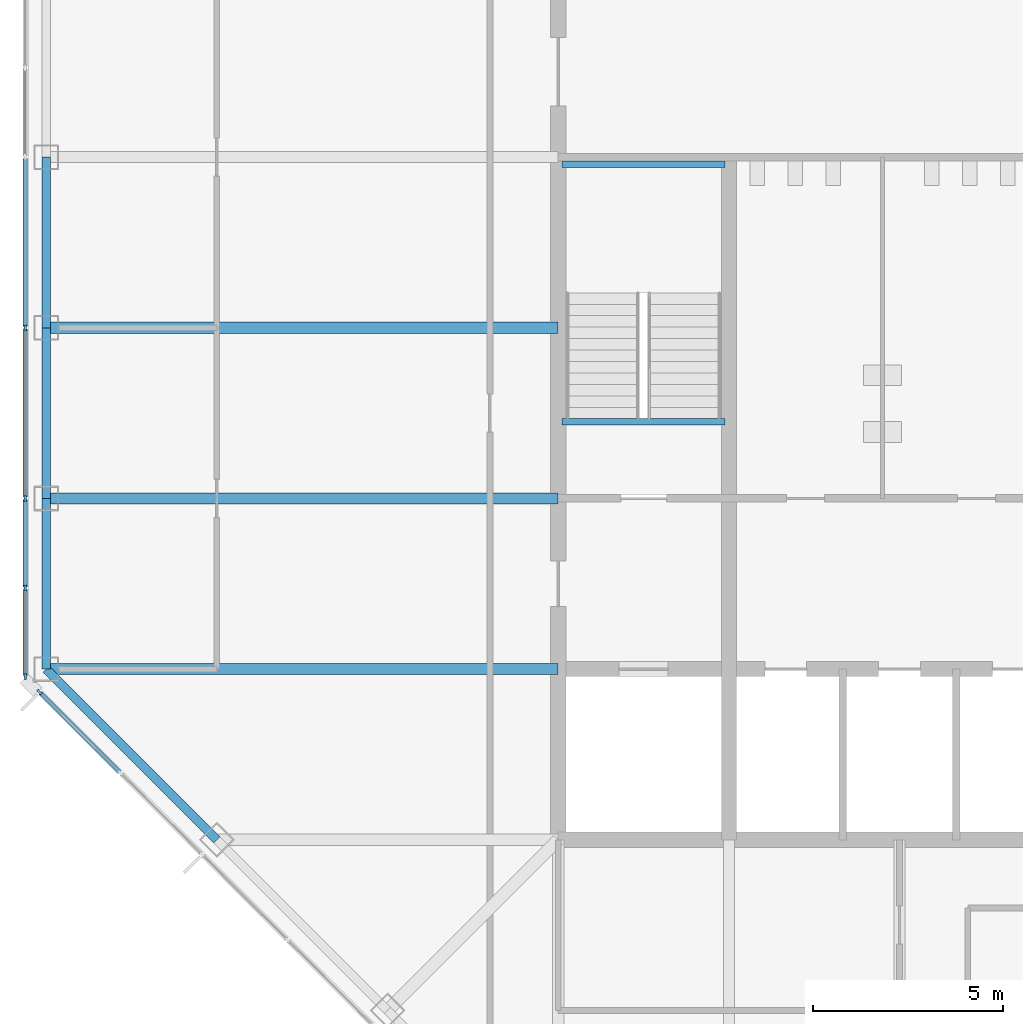
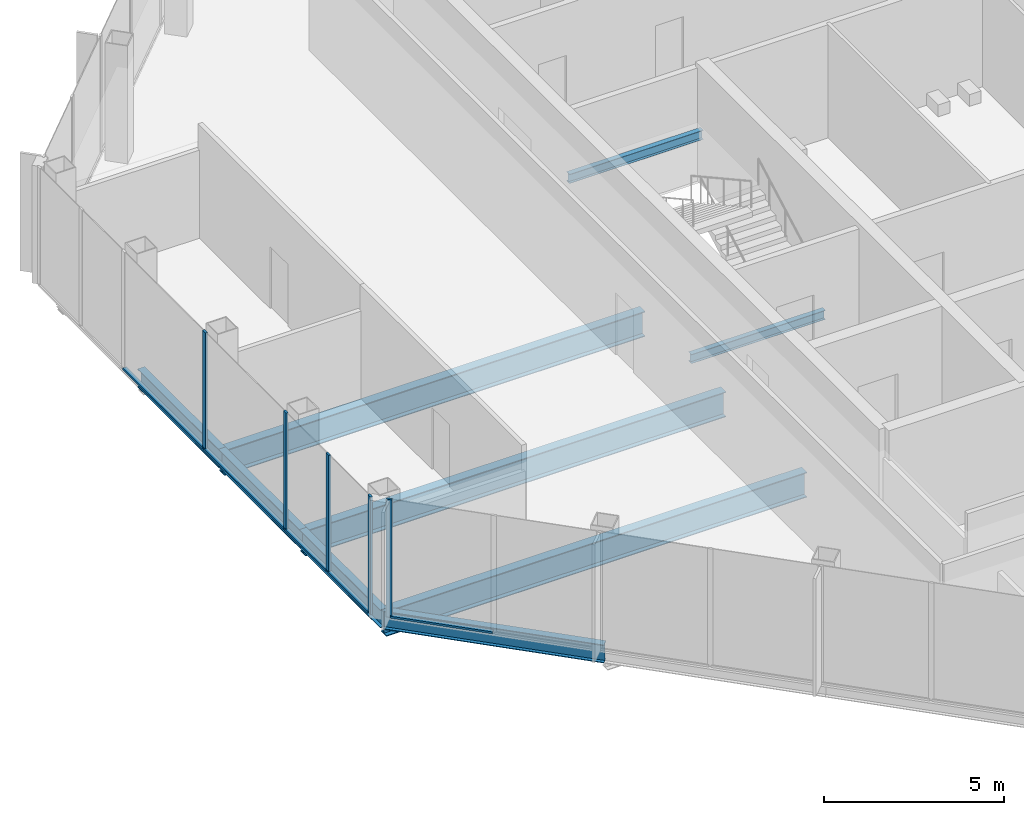
# One storey, part 3 of 13: 10 members, 9 beams, 2 elements without a shape of their own.
"""IFC4 building model written with IfcOpenShell, lengths in metres."""

from ifc_helpers import new_model, si_unit, direction, frame, origin, origin_2d, place, context, subcontext, project, spatial, rectangle, i_section, extrude, material, material_profile, profile_set, type_object, element, aggregate, save


model = new_model("IFC4")

# Units and contexts
model_context = context("Model", 3, precision=1e-05, world=origin(), true_north=direction((0.0, 1.0)))
body_context = subcontext(model_context, "Body", "Model", "MODEL_VIEW")
ifc_project = project(units=[si_unit("LENGTHUNIT", "METRE"), si_unit("AREAUNIT", "SQUARE_METRE"), si_unit("VOLUMEUNIT", "CUBIC_METRE"), si_unit("PLANEANGLEUNIT", "RADIAN"), si_unit("MASSUNIT", "GRAM", prefix="KILO")], contexts=[model_context])

# Site, building, storey
site_placement = place(None, origin())
site = spatial("IfcSite", under=ifc_project, at=site_placement, CompositionType="ELEMENT")
building_placement = place(site_placement, origin())
building = spatial("IfcBuilding", under=site, at=building_placement, Name="Corais Broadcast Tower", CompositionType="ELEMENT")
storey_placement = place(building_placement, frame((0.0, 0.0, 222.60009765625)))
storey = spatial("IfcBuildingStorey", under=building, at=storey_placement, Name="L51", CompositionType="ELEMENT", Elevation=222.60009765625)

# Beams
ifc_material_1 = material(Name="Steel ASTM A572 Grade 50", Category="steel")
ifc_material_profile_1 = material_profile(ifc_material_1, i_section(OverallWidth=0.2939453125, OverallDepth=0.85107421875, WebThickness=0.01611328125, FlangeThickness=0.02685546875, at=origin_2d()), Name="W840x226")
ifc_profile_set_1 = profile_set([ifc_material_profile_1], Name="Steel ASTM A572 Grade 50")
beam_type_1 = type_object("IfcBeamType", Name="Floor beam W840x226", PredefinedType="BEAM", material=ifc_profile_set_1)
for number, where, z_axis, x_axis, name in (
    (1, (0.0, 18.0, -0.585693359375), (1.0, 0.0, 0.0), (0.0, 1.0, 0.0), "B1 E/3 to E/6"),
    (2, (0.0, 22.5, -0.585693359375), (1.0, 0.0, 0.0), (0.0, 1.0, 0.0), "B1 F/3 to F/6"),
    (3, (0.0, 27.0, -0.585693359375), (1.0, 0.0, 0.0), (0.0, 1.0, 0.0), "B1 G/3 to G/6"),
):
    element("IfcBeam", number, at=place(storey_placement, frame(where, z_axis=z_axis, x_axis=x_axis)), inside=storey, type_object=beam_type_1, Name=name, PredefinedType="BEAM", context=body_context, shape_type="SweptSolid", body=[
        extrude(i_section(OverallWidth=0.2939453125, OverallDepth=0.85107421875, WebThickness=0.01611328125, FlangeThickness=0.02685546875, at=origin_2d()), origin(), (0.0, 0.0, 1.0), 13.5),
    ])
ifc_material_2 = material(Name="Steel ASTM A572 Grade 50", Category="steel")
ifc_material_profile_2 = material_profile(ifc_material_2, i_section(OverallWidth=0.1650390625, OverallDepth=0.31005859375, WebThickness=0.005859375, FlangeThickness=0.009765625, at=origin_2d()), Name="W310x38.7")
ifc_profile_set_2 = profile_set([ifc_material_profile_2], Name="Steel ASTM A572 Grade 50")
beam_type_2 = type_object("IfcBeamType", Name="Landing trimmer W310x38.7", PredefinedType="BEAM", material=ifc_profile_set_2)
for number, where, z_axis, x_axis, name in (
    (4, (13.60009765625, 24.52490234375, -0.35498046875), (1.0, 0.0, 0.0), (0.0, 1.0, 0.0), "LT1 stair A landing trimmer L51"),
    (5, (13.60009765625, 31.31005859375, 1.64501953125), (1.0, 0.0, 0.0), (0.0, 1.0, 0.0), "LT1 stair A half landing trimmer L51"),
):
    element("IfcBeam", number, at=place(storey_placement, frame(where, z_axis=z_axis, x_axis=x_axis)), inside=storey, type_object=beam_type_2, Name=name, PredefinedType="BEAM", context=body_context, shape_type="SweptSolid", body=[
        extrude(i_section(OverallWidth=0.1650390625, OverallDepth=0.31005859375, WebThickness=0.005859375, FlangeThickness=0.009765625, at=origin_2d()), origin(), (0.0, 0.0, 1.0), 4.2998046875),
    ])

# Curtain wall, member
ifc_material_3 = material(Name="Aluminium and glass", Category="aluminium")
curtain_wall_type = type_object("IfcCurtainWallType", Name="Unitised fritted curtain wall CW3", PredefinedType="NOTDEFINED", material=ifc_material_3)
curtain_wall_1_placement = place(storey_placement, origin())
curtain_wall_1 = element("IfcCurtainWall", 6, at=curtain_wall_1_placement, inside=storey, type_object=curtain_wall_type, Name="CW3 curtain wall L51 1", PredefinedType="NOTDEFINED")
ifc_material_4 = material(Name="Aluminium 6063-T6", Category="aluminium")
ifc_material_profile_3 = material_profile(ifc_material_4, rectangle(XDim=0.06494140625, YDim=0.159912109375, at=origin_2d()), Name="Mullion CW3 65x160")
ifc_profile_set_3 = profile_set([ifc_material_profile_3], Name="Aluminium 6063-T6")
member_type_1 = type_object("IfcMemberType", Name="Mullion CW3 65x160", PredefinedType="MULLION", material=ifc_profile_set_3)
member_1_placement = place(storey_placement, frame((-0.17333984375, 17.3955078125, 0.0), z_axis=(0.0, 0.0, 1.0), x_axis=(-0.707106781187, -0.707106781187, 0.0)))
member_1 = element("IfcMember", 7, at=member_1_placement, type_object=member_type_1, Name="CW3 mullion 9", PredefinedType="MULLION", context=body_context, shape_type="SweptSolid", body=[
    extrude(rectangle(XDim=0.06494140625, YDim=0.159912109375, at=origin_2d()), origin(), (0.0, 0.0, 1.0), 4.0),
])

# Curtain wall, members
curtain_wall_2_placement = place(storey_placement, origin())
curtain_wall_2 = element("IfcCurtainWall", 8, at=curtain_wall_2_placement, inside=storey, type_object=curtain_wall_type, Name="CW3 curtain wall L51 2", PredefinedType="NOTDEFINED")
member_2_placement = place(storey_placement, frame((-0.550048828125, 17.8046875, 0.0), z_axis=(0.0, 0.0, 1.0), x_axis=(-1.0, 0.0, 0.0)))
member_2 = element("IfcMember", 9, at=member_2_placement, type_object=member_type_1, Name="CW3 mullion 1", PredefinedType="MULLION", context=body_context, shape_type="SweptSolid", body=[
    extrude(rectangle(XDim=0.06494140625, YDim=0.159912109375, at=origin_2d()), origin(), (0.0, 0.0, 1.0), 4.0),
])
member_3_placement = place(storey_placement, frame((-0.550048828125, 20.135986328125, 0.0), z_axis=(0.0, 0.0, 1.0), x_axis=(-1.0, 0.0, 0.0)))
member_3 = element("IfcMember", 10, at=member_3_placement, type_object=member_type_1, Name="CW3 mullion 2", PredefinedType="MULLION", context=body_context, shape_type="SweptSolid", body=[
    extrude(rectangle(XDim=0.06494140625, YDim=0.159912109375, at=origin_2d()), origin(), (0.0, 0.0, 1.0), 4.0),
])
member_4_placement = place(storey_placement, frame((-0.550048828125, 22.5, 0.0), z_axis=(0.0, 0.0, 1.0), x_axis=(-1.0, 0.0, 0.0)))
member_4 = element("IfcMember", 11, at=member_4_placement, type_object=member_type_1, Name="CW3 mullion 3", PredefinedType="MULLION", context=body_context, shape_type="SweptSolid", body=[
    extrude(rectangle(XDim=0.06494140625, YDim=0.159912109375, at=origin_2d()), origin(), (0.0, 0.0, 1.0), 4.0),
])
member_5_placement = place(storey_placement, frame((-0.550048828125, 27.0, 0.0), z_axis=(0.0, 0.0, 1.0), x_axis=(-1.0, 0.0, 0.0)))
member_5 = element("IfcMember", 12, at=member_5_placement, type_object=member_type_1, Name="CW3 mullion 4", PredefinedType="MULLION", context=body_context, shape_type="SweptSolid", body=[
    extrude(rectangle(XDim=0.06494140625, YDim=0.159912109375, at=origin_2d()), origin(), (0.0, 0.0, 1.0), 4.0),
])

# Beams
ifc_material_5 = material(Name="Steel ASTM A572 Grade 50", Category="steel")
ifc_material_profile_4 = material_profile(ifc_material_5, i_section(OverallWidth=0.22998046875, OverallDepth=0.616943359375, WebThickness=0.01318359375, FlangeThickness=0.022216796875, at=origin_2d()), Name="W610x140")
ifc_profile_set_4 = profile_set([ifc_material_profile_4], Name="Steel ASTM A572 Grade 50")
beam_type_3 = type_object("IfcBeamType", Name="Spandrel W610x140", PredefinedType="BEAM", material=ifc_profile_set_4)
beam_placement = place(storey_placement, frame((0.0, 18.0, -0.468505859375), z_axis=(0.707106781187, -0.707106781187, 0.0), x_axis=(0.707106781187, 0.707106781187, 0.0)))
element("IfcBeam", 13, at=beam_placement, inside=storey, type_object=beam_type_3, Name="SB3 E/3 to D/4", PredefinedType="BEAM", context=body_context, shape_type="SweptSolid", body=[
    extrude(i_section(OverallWidth=0.22998046875, OverallDepth=0.616943359375, WebThickness=0.01318359375, FlangeThickness=0.022216796875, at=origin_2d()), origin(), (0.0, 0.0, 1.0), 6.364013671875),
])
for number, where, z_axis, x_axis, name in (
    (14, (0.0, 22.5, -0.468505859375), (0.0, -1.0, 0.0), (1.0, 0.0, 0.0), "SB3 F/3 to E/3"),
    (15, (0.0, 27.0, -0.468505859375), (0.0, -1.0, 0.0), (1.0, 0.0, 0.0), "SB3 G/3 to F/3"),
    (16, (0.0, 31.5, -0.468505859375), (0.0, -1.0, 0.0), (1.0, 0.0, 0.0), "SB3 H/3 to G/3"),
):
    element("IfcBeam", number, at=place(storey_placement, frame(where, z_axis=z_axis, x_axis=x_axis)), inside=storey, type_object=beam_type_3, Name=name, PredefinedType="BEAM", context=body_context, shape_type="SweptSolid", body=[
        extrude(i_section(OverallWidth=0.22998046875, OverallDepth=0.616943359375, WebThickness=0.01318359375, FlangeThickness=0.022216796875, at=origin_2d()), origin(), (0.0, 0.0, 1.0), 4.5),
    ])

# Member
ifc_material_6 = material(Name="Aluminium 6063-T6", Category="aluminium")
ifc_material_profile_5 = material_profile(ifc_material_6, rectangle(XDim=0.1201171875, YDim=0.06494140625, at=origin_2d()), Name="Transom CW3 65x120")
ifc_profile_set_5 = profile_set([ifc_material_profile_5], Name="Aluminium 6063-T6")
member_type_2 = type_object("IfcMemberType", Name="Transom CW3 65x120", PredefinedType="USERDEFINED", material=ifc_profile_set_5)
member_6_placement = place(storey_placement, frame((1.934326171875, 15.287841796875, 0.032470703125), z_axis=(-0.707106781187, 0.707106781187, 0.0), x_axis=(-0.707106781187, -0.707106781187, 0.0)))
member_6 = element("IfcMember", 17, at=member_6_placement, type_object=member_type_2, Name="CW3 transom 8.1", ObjectType="TRANSOM", PredefinedType="USERDEFINED", context=body_context, shape_type="SweptSolid", body=[
    extrude(rectangle(XDim=0.1201171875, YDim=0.06494140625, at=origin_2d()), origin(), (0.0, 0.0, 1.0), 2.9482421875),
])

aggregate(curtain_wall_1, [member_1, member_6])

member_7_placement = place(storey_placement, frame((-0.550048828125, 17.837158203125, 0.032470703125), z_axis=(0.0, 1.0, 0.0), x_axis=(-1.0, 0.0, 0.0)))
member_7 = element("IfcMember", 18, at=member_7_placement, type_object=member_type_2, Name="CW3 transom 1.1", ObjectType="TRANSOM", PredefinedType="USERDEFINED", context=body_context, shape_type="SweptSolid", body=[
    extrude(rectangle(XDim=0.1201171875, YDim=0.06494140625, at=origin_2d()), origin(), (0.0, 0.0, 1.0), 2.266357421875),
])

member_8_placement = place(storey_placement, frame((-0.550048828125, 20.168701171875, 0.032470703125), z_axis=(0.0, 1.0, 0.0), x_axis=(-1.0, 0.0, 0.0)))
member_8 = element("IfcMember", 19, at=member_8_placement, type_object=member_type_2, Name="CW3 transom 2.1", ObjectType="TRANSOM", PredefinedType="USERDEFINED", context=body_context, shape_type="SweptSolid", body=[
    extrude(rectangle(XDim=0.1201171875, YDim=0.06494140625, at=origin_2d()), origin(), (0.0, 0.0, 1.0), 2.298828125),
])

member_9_placement = place(storey_placement, frame((-0.550048828125, 22.532470703125, 0.032470703125), z_axis=(0.0, 1.0, 0.0), x_axis=(-1.0, 0.0, 0.0)))
member_9 = element("IfcMember", 20, at=member_9_placement, type_object=member_type_2, Name="CW3 transom 3.1", ObjectType="TRANSOM", PredefinedType="USERDEFINED", context=body_context, shape_type="SweptSolid", body=[
    extrude(rectangle(XDim=0.1201171875, YDim=0.06494140625, at=origin_2d()), origin(), (0.0, 0.0, 1.0), 4.43505859375),
])

member_10_placement = place(storey_placement, frame((-0.550048828125, 27.032470703125, 0.032470703125), z_axis=(0.0, 1.0, 0.0), x_axis=(-1.0, 0.0, 0.0)))
member_10 = element("IfcMember", 21, at=member_10_placement, type_object=member_type_2, Name="CW3 transom 4.1", ObjectType="TRANSOM", PredefinedType="USERDEFINED", context=body_context, shape_type="SweptSolid", body=[
    extrude(rectangle(XDim=0.1201171875, YDim=0.06494140625, at=origin_2d()), origin(), (0.0, 0.0, 1.0), 4.43505859375),
])

aggregate(curtain_wall_2, [member_2, member_3, member_4, member_5, member_7, member_8, member_9, member_10])

save(model, "model.ifc")
